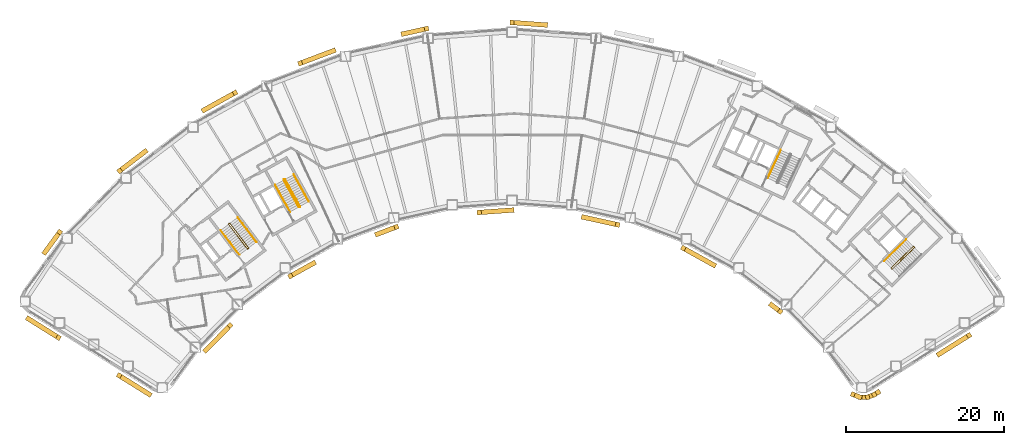
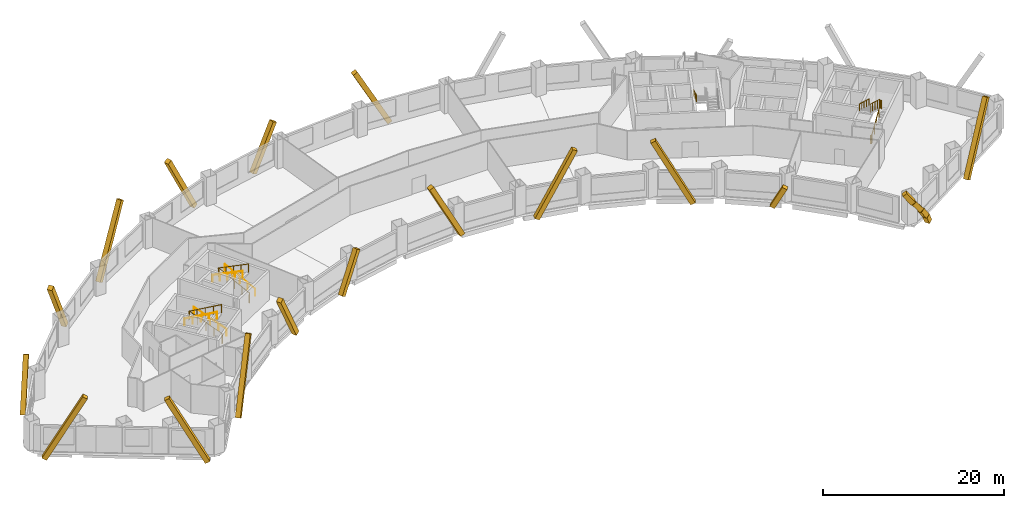
# One storey, part 10 of 11: 20 coverings, 9 railings.
"""IFC4 building model written with IfcOpenShell, lengths in metres."""

from ifc_helpers import new_model, si_unit, direction, frame, origin, origin_2d, place, context, subcontext, project, spatial, rectangle, circle, extrude, material, material_profile, profile_set, type_object, element, save


model = new_model("IFC4")

# Units and contexts
model_context = context("Model", 3, precision=1e-05, world=origin(), true_north=direction((0.0, 1.0)))
body_context = subcontext(model_context, "Body", "Model", "MODEL_VIEW")
ifc_project = project(units=[si_unit("LENGTHUNIT", "METRE"), si_unit("AREAUNIT", "SQUARE_METRE"), si_unit("VOLUMEUNIT", "CUBIC_METRE"), si_unit("PLANEANGLEUNIT", "RADIAN"), si_unit("MASSUNIT", "GRAM", prefix="KILO")], contexts=[model_context])

# Site, building, storey
site_placement = place(None, origin())
site = spatial("IfcSite", under=ifc_project, at=site_placement, CompositionType="ELEMENT")
building_placement = place(site_placement, origin())
building = spatial("IfcBuilding", under=site, at=building_placement, Name="Tuul Gate Civic Tower", CompositionType="ELEMENT")
storey_placement = place(building_placement, frame((0.0, 0.0, 48.300048828125)))
storey = spatial("IfcBuildingStorey", under=building, at=storey_placement, Name="Level 10", CompositionType="ELEMENT", Elevation=48.300048828125)

# Railings
ifc_material_1 = material(Name="Painted steel", Category="steel")
railing_type_1 = type_object("IfcRailingType", Name="Stair guard", PredefinedType="GUARDRAIL", material=ifc_material_1)
railing_1_placement = place(storey_placement, frame((-33.382080078125, -13.515380859375, 0.0)))
element("IfcRailing", 1, at=railing_1_placement, inside=storey, type_object=railing_type_1, Name="Level 10 ST-1 stair guard 1", PredefinedType="GUARDRAIL", context=body_context, shape_type="SweptSolid", body=[
    extrude(circle(Radius=0.02392578125, at=origin_2d()), frame((0.0, 0.0, 1.076171875), z_axis=(-0.795879841968, -0.605454603706, 0.0), x_axis=(0.605454603706, -0.795879841968, 0.0)), (0.0, 0.0, 1.0), 0.10009765625),
    extrude(circle(Radius=0.02392578125, at=origin_2d()), frame((-0.07958984375, -0.060546875, 1.076171875), z_axis=(0.408991890351, 0.599481263939, 0.688002796371), x_axis=(-0.826063974707, 0.563576356576, 0.0)), (0.0, 0.0, 1.0), 0.2177734375),
    extrude(circle(Radius=0.02392578125, at=origin_2d()), frame((0.009521484375, 0.070068359375, 1.22607421875), z_axis=(-0.541824460341, 0.711645023348, 0.447199748346), x_axis=(-0.795637165283, -0.60577347352, 0.0)), (0.0, 0.0, 1.0), 4.3603515625),
    extrude(circle(Radius=0.02392578125, at=origin_2d()), frame((-2.35302734375, 3.173095703125, 3.17578125), z_axis=(-0.990893089246, 0.134650977284, 0.0), x_axis=(-0.134650977284, -0.990893089246, 0.0)), (0.0, 0.0, 1.0), 0.07080078125),
    extrude(circle(Radius=0.02392578125, at=origin_2d()), frame((-2.423095703125, 3.1826171875, 3.17578125), z_axis=(-0.793802879778, -0.60817512943, 0.0), x_axis=(0.60817512943, -0.793802879778, 0.0)), (0.0, 0.0, 1.0), 0.099853515625),
    extrude(circle(Radius=0.02392578125, at=origin_2d()), frame((-2.50244140625, 3.121826171875, 3.17578125), z_axis=(-0.057370624079, -0.422188951554, 0.904690610473), x_axis=(0.990893089246, -0.134650977284, 0.0)), (0.0, 0.0, 1.0), 0.166015625),
    extrude(circle(Radius=0.02392578125, at=origin_2d()), frame((-2.511962890625, 3.0517578125, 3.326171875), z_axis=(0.541806494602, -0.71163897684, 0.447231136047), x_axis=(0.795644365679, 0.605764016233, 0.0)), (0.0, 0.0, 1.0), 4.360107421875),
    extrude(circle(Radius=0.02099609375, at=origin_2d()), origin(), (0.0, 0.0, 1.0), 1.052001953125),
    extrude(circle(Radius=0.02099609375, at=origin_2d()), frame((-0.07958984375, -0.060546875, 0.0)), (0.0, 0.0, 1.0), 1.052001953125),
    extrude(circle(Radius=0.02099609375, at=origin_2d()), frame((0.009521484375, 0.070068359375, 0.14990234375)), (0.0, 0.0, 1.0), 1.052001953125),
    extrude(circle(Radius=0.02099609375, at=origin_2d()), frame((-0.5810546875, 0.845703125, 0.637451171875)), (0.0, 0.0, 1.0), 1.052001953125),
    extrude(circle(Radius=0.02099609375, at=origin_2d()), frame((-1.171875, 1.62158203125, 1.125)), (0.0, 0.0, 1.0), 1.052001953125),
    extrude(circle(Radius=0.02099609375, at=origin_2d()), frame((-1.762451171875, 2.3974609375, 1.6123046875)), (0.0, 0.0, 1.0), 1.052001953125),
    extrude(circle(Radius=0.02099609375, at=origin_2d()), frame((-2.35302734375, 3.173095703125, 2.099853515625)), (0.0, 0.0, 1.0), 1.052001953125),
    extrude(circle(Radius=0.02099609375, at=origin_2d()), frame((-2.423095703125, 3.1826171875, 2.099853515625)), (0.0, 0.0, 1.0), 1.052001953125),
    extrude(circle(Radius=0.02099609375, at=origin_2d()), frame((-2.50244140625, 3.121826171875, 2.099853515625)), (0.0, 0.0, 1.0), 1.052001953125),
    extrude(circle(Radius=0.02099609375, at=origin_2d()), frame((-2.511962890625, 3.0517578125, 2.25)), (0.0, 0.0, 1.0), 1.052001953125),
    extrude(circle(Radius=0.02099609375, at=origin_2d()), frame((-1.92138671875, 2.276123046875, 2.737548828125)), (0.0, 0.0, 1.0), 1.052001953125),
    extrude(circle(Radius=0.02099609375, at=origin_2d()), frame((-1.330810546875, 1.50048828125, 3.22509765625)), (0.0, 0.0, 1.0), 1.052001953125),
    extrude(circle(Radius=0.02099609375, at=origin_2d()), frame((-0.740234375, 0.724609375, 3.71240234375)), (0.0, 0.0, 1.0), 1.052001953125),
    extrude(circle(Radius=0.02099609375, at=origin_2d()), frame((-0.149658203125, -0.051025390625, 4.199951171875)), (0.0, 0.0, 1.0), 1.052001953125),
])
railing_2_placement = place(storey_placement, frame((-26.857666015625, -8.247314453125, 0.0)))
element("IfcRailing", 2, at=railing_2_placement, inside=storey, type_object=railing_type_1, Name="Level 10 ST-2 stair guard 1", PredefinedType="GUARDRAIL", context=body_context, shape_type="SweptSolid", body=[
    extrude(circle(Radius=0.02392578125, at=origin_2d()), frame((0.0, 0.0, 1.076171875), z_axis=(-0.874616555828, -0.48481530532, 0.0), x_axis=(0.48481530532, -0.874616555828, 0.0)), (0.0, 0.0, 1.0), 0.10009765625),
    extrude(circle(Radius=0.02392578125, at=origin_2d()), frame((-0.087646484375, -0.048583984375, 1.076171875), z_axis=(0.49081399482, 0.534516610797, 0.688036056665), x_axis=(-0.736576986774, 0.676353711126, 0.0)), (0.0, 0.0, 1.0), 0.2177734375),
    extrude(circle(Radius=0.02392578125, at=origin_2d()), frame((0.019287109375, 0.06787109375, 1.22607421875), z_axis=(-0.43354991378, 0.782327185242, 0.447212083348), x_axis=(-0.874667644053, -0.484723129681, 0.0)), (0.0, 0.0, 1.0), 4.3603515625),
    extrude(circle(Radius=0.02392578125, at=origin_2d()), frame((-1.87109375, 3.47900390625, 3.17578125), z_axis=(-0.961263487578, 0.275631107549, 0.0), x_axis=(-0.275631107549, -0.961263487578, 0.0)), (0.0, 0.0, 1.0), 0.07080078125),
    extrude(circle(Radius=0.02392578125, at=origin_2d()), frame((-1.939208984375, 3.49853515625, 3.17578125), z_axis=(-0.874042088414, -0.485850211157, 0.0), x_axis=(0.485850211157, -0.874042088414, 0.0)), (0.0, 0.0, 1.0), 0.10009765625),
    extrude(circle(Radius=0.02392578125, at=origin_2d()), frame((-2.026611328125, 3.449951171875, 3.17578125), z_axis=(-0.117709570447, -0.409040757305, 0.904892322815), x_axis=(0.961000426733, -0.276546885391, 0.0)), (0.0, 0.0, 1.0), 0.166015625),
    extrude(circle(Radius=0.02392578125, at=origin_2d()), frame((-2.046142578125, 3.382080078125, 3.326171875), z_axis=(0.433595379963, -0.782308193291, 0.447201226726), x_axis=(0.874641102302, 0.484771020343, 0.0)), (0.0, 0.0, 1.0), 4.3603515625),
    extrude(circle(Radius=0.02099609375, at=origin_2d()), origin(), (0.0, 0.0, 1.0), 1.052001953125),
    extrude(circle(Radius=0.02099609375, at=origin_2d()), frame((-0.087646484375, -0.048583984375, 0.0)), (0.0, 0.0, 1.0), 1.052001953125),
    extrude(circle(Radius=0.02099609375, at=origin_2d()), frame((0.019287109375, 0.06787109375, 0.14990234375)), (0.0, 0.0, 1.0), 1.052001953125),
    extrude(circle(Radius=0.02099609375, at=origin_2d()), frame((-0.453369140625, 0.920654296875, 0.637451171875)), (0.0, 0.0, 1.0), 1.052001953125),
    extrude(circle(Radius=0.02099609375, at=origin_2d()), frame((-0.92578125, 1.7734375, 1.125)), (0.0, 0.0, 1.0), 1.052001953125),
    extrude(circle(Radius=0.02099609375, at=origin_2d()), frame((-1.3984375, 2.626220703125, 1.6123046875)), (0.0, 0.0, 1.0), 1.052001953125),
    extrude(circle(Radius=0.02099609375, at=origin_2d()), frame((-1.87109375, 3.47900390625, 2.099853515625)), (0.0, 0.0, 1.0), 1.052001953125),
    extrude(circle(Radius=0.02099609375, at=origin_2d()), frame((-1.939208984375, 3.49853515625, 2.099853515625)), (0.0, 0.0, 1.0), 1.052001953125),
    extrude(circle(Radius=0.02099609375, at=origin_2d()), frame((-2.026611328125, 3.449951171875, 2.099853515625)), (0.0, 0.0, 1.0), 1.052001953125),
    extrude(circle(Radius=0.02099609375, at=origin_2d()), frame((-2.046142578125, 3.382080078125, 2.25)), (0.0, 0.0, 1.0), 1.052001953125),
    extrude(circle(Radius=0.02099609375, at=origin_2d()), frame((-1.573486328125, 2.529296875, 2.737548828125)), (0.0, 0.0, 1.0), 1.052001953125),
    extrude(circle(Radius=0.02099609375, at=origin_2d()), frame((-1.100830078125, 1.676513671875, 3.22509765625)), (0.0, 0.0, 1.0), 1.052001953125),
    extrude(circle(Radius=0.02099609375, at=origin_2d()), frame((-0.628173828125, 0.82373046875, 3.71240234375)), (0.0, 0.0, 1.0), 1.052001953125),
    extrude(circle(Radius=0.02099609375, at=origin_2d()), frame((-0.155517578125, -0.029052734375, 4.199951171875)), (0.0, 0.0, 1.0), 1.052001953125),
])
railing_3_placement = place(storey_placement, frame((48.10546875, -16.134765625, 0.0)))
element("IfcRailing", 3, at=railing_3_placement, inside=storey, type_object=railing_type_1, Name="Level 10 ST-3 stair guard 1", PredefinedType="GUARDRAIL", context=body_context, shape_type="SweptSolid", body=[
    extrude(circle(Radius=0.02392578125, at=origin_2d()), frame((0.0, 0.0, 1.076171875), z_axis=(-0.698506948293, 0.715603272202, 0.0), x_axis=(-0.715603272202, -0.698506948293, 0.0)), (0.0, 0.0, 1.0), 0.099853515625),
    extrude(circle(Radius=0.02392578125, at=origin_2d()), frame((-0.06982421875, 0.071533203125, 1.076171875), z_axis=(0.645446321009, -0.331687692741, 0.688027849131), x_axis=(0.457068866502, 0.889431307788, 0.0)), (0.0, 0.0, 1.0), 0.2177734375),
    extrude(circle(Radius=0.02392578125, at=origin_2d()), frame((0.07080078125, -0.000732421875, 1.22607421875), z_axis=(0.638731261263, 0.626133563701, 0.447190268558), x_axis=(-0.700029477518, 0.714113947914, 0.0)), (0.0, 0.0, 1.0), 4.3603515625),
    extrude(circle(Radius=0.02392578125, at=origin_2d()), frame((2.85595703125, 2.7294921875, 3.17578125), z_axis=(0.010380063588, 0.999946125689, 0.0), x_axis=(-0.999946125689, 0.010380063588, 0.0)), (0.0, 0.0, 1.0), 0.070556640625),
    extrude(circle(Radius=0.02392578125, at=origin_2d()), frame((2.856689453125, 2.800048828125, 3.17578125), z_axis=(-0.699754442181, 0.714383454909, 0.0), x_axis=(-0.714383454909, -0.699754442181, 0.0)), (0.0, 0.0, 1.0), 0.10009765625),
    extrude(circle(Radius=0.02392578125, at=origin_2d()), frame((2.78662109375, 2.87158203125, 3.17578125), z_axis=(-0.426501027327, 0.004412079593, 0.904476316574), x_axis=(-0.010344274102, -0.999946496565, 0.0)), (0.0, 0.0, 1.0), 0.166015625),
    extrude(circle(Radius=0.02392578125, at=origin_2d()), frame((2.7158203125, 2.872314453125, 3.326171875), z_axis=(-0.638731261263, -0.626133563701, 0.447190268558), x_axis=(0.700029477518, -0.714113947914, 0.0)), (0.0, 0.0, 1.0), 4.3603515625),
    extrude(circle(Radius=0.02099609375, at=origin_2d()), origin(), (0.0, 0.0, 1.0), 1.052001953125),
    extrude(circle(Radius=0.02099609375, at=origin_2d()), frame((-0.06982421875, 0.071533203125, 0.0)), (0.0, 0.0, 1.0), 1.052001953125),
    extrude(circle(Radius=0.02099609375, at=origin_2d()), frame((0.07080078125, -0.000732421875, 0.14990234375)), (0.0, 0.0, 1.0), 1.052001953125),
    extrude(circle(Radius=0.02099609375, at=origin_2d()), frame((0.76708984375, 0.681884765625, 0.637451171875)), (0.0, 0.0, 1.0), 1.052001953125),
    extrude(circle(Radius=0.02099609375, at=origin_2d()), frame((1.46337890625, 1.3642578125, 1.125)), (0.0, 0.0, 1.0), 1.052001953125),
    extrude(circle(Radius=0.02099609375, at=origin_2d()), frame((2.15966796875, 2.046875, 1.6123046875)), (0.0, 0.0, 1.0), 1.052001953125),
    extrude(circle(Radius=0.02099609375, at=origin_2d()), frame((2.85595703125, 2.7294921875, 2.099853515625)), (0.0, 0.0, 1.0), 1.052001953125),
    extrude(circle(Radius=0.02099609375, at=origin_2d()), frame((2.856689453125, 2.800048828125, 2.099853515625)), (0.0, 0.0, 1.0), 1.052001953125),
    extrude(circle(Radius=0.02099609375, at=origin_2d()), frame((2.78662109375, 2.87158203125, 2.099853515625)), (0.0, 0.0, 1.0), 1.052001953125),
    extrude(circle(Radius=0.02099609375, at=origin_2d()), frame((2.7158203125, 2.872314453125, 2.25)), (0.0, 0.0, 1.0), 1.052001953125),
    extrude(circle(Radius=0.02099609375, at=origin_2d()), frame((2.01953125, 2.189697265625, 2.737548828125)), (0.0, 0.0, 1.0), 1.052001953125),
    extrude(circle(Radius=0.02099609375, at=origin_2d()), frame((1.3232421875, 1.50732421875, 3.22509765625)), (0.0, 0.0, 1.0), 1.052001953125),
    extrude(circle(Radius=0.02099609375, at=origin_2d()), frame((0.626953125, 0.82470703125, 3.71240234375)), (0.0, 0.0, 1.0), 1.052001953125),
    extrude(circle(Radius=0.02099609375, at=origin_2d()), frame((-0.0693359375, 0.14208984375, 4.199951171875)), (0.0, 0.0, 1.0), 1.052001953125),
])
ifc_material_2 = material(Name="Painted steel", Category="steel")
railing_type_2 = type_object("IfcRailingType", Name="Stair handrail", PredefinedType="HANDRAIL", material=ifc_material_2)
railing_4_placement = place(storey_placement, frame((-32.3779296875, -12.688232421875, 0.14990234375)))
element("IfcRailing", 4, at=railing_4_placement, inside=storey, type_object=railing_type_2, Name="Level 10 ST-1 stair handrail 1", PredefinedType="HANDRAIL", context=body_context, shape_type="SweptSolid", body=[
    extrude(circle(Radius=0.02392578125, at=origin_2d()), frame((0.0, 0.0, 0.8759765625), z_axis=(-0.541824460341, 0.711645023348, 0.447199748346), x_axis=(-0.795637165283, -0.60577347352, 0.0)), (0.0, 0.0, 1.0), 4.3603515625),
    extrude(circle(Radius=0.02099609375, at=origin_2d()), origin(), (0.0, 0.0, 1.0), 0.851806640625),
    extrude(circle(Radius=0.02099609375, at=origin_2d()), frame((-0.590576171875, 0.77587890625, 0.487548828125)), (0.0, 0.0, 1.0), 0.851806640625),
    extrude(circle(Radius=0.02099609375, at=origin_2d()), frame((-1.18115234375, 1.551513671875, 0.97509765625)), (0.0, 0.0, 1.0), 0.851806640625),
    extrude(circle(Radius=0.02099609375, at=origin_2d()), frame((-1.77197265625, 2.3271484375, 1.46240234375)), (0.0, 0.0, 1.0), 0.851806640625),
    extrude(circle(Radius=0.02099609375, at=origin_2d()), frame((-2.362548828125, 3.10302734375, 1.949951171875)), (0.0, 0.0, 1.0), 0.851806640625),
])
railing_5_placement = place(storey_placement, frame((-36.888671875, -11.220703125, 2.25)))
element("IfcRailing", 5, at=railing_5_placement, inside=storey, type_object=railing_type_2, Name="Level 10 ST-1 stair handrail 2", PredefinedType="HANDRAIL", context=body_context, shape_type="SweptSolid", body=[
    extrude(circle(Radius=0.02392578125, at=origin_2d()), frame((0.0, 0.0, 0.8759765625), z_axis=(0.541824460341, -0.711645023348, 0.447199748346), x_axis=(0.795637165283, 0.60577347352, 0.0)), (0.0, 0.0, 1.0), 4.3603515625),
    extrude(circle(Radius=0.02099609375, at=origin_2d()), origin(), (0.0, 0.0, 1.0), 0.851806640625),
    extrude(circle(Radius=0.02099609375, at=origin_2d()), frame((0.590576171875, -0.77587890625, 0.487548828125)), (0.0, 0.0, 1.0), 0.851806640625),
    extrude(circle(Radius=0.02099609375, at=origin_2d()), frame((1.18115234375, -1.551513671875, 0.97509765625)), (0.0, 0.0, 1.0), 0.851806640625),
    extrude(circle(Radius=0.02099609375, at=origin_2d()), frame((1.77197265625, -2.3271484375, 1.46240234375)), (0.0, 0.0, 1.0), 0.851806640625),
    extrude(circle(Radius=0.02099609375, at=origin_2d()), frame((2.362548828125, -3.10302734375, 1.949951171875)), (0.0, 0.0, 1.0), 0.851806640625),
])
railing_6_placement = place(storey_placement, frame((-25.744873046875, -7.573486328125, 0.14990234375)))
element("IfcRailing", 6, at=railing_6_placement, inside=storey, type_object=railing_type_2, Name="Level 10 ST-2 stair handrail 1", PredefinedType="HANDRAIL", context=body_context, shape_type="SweptSolid", body=[
    extrude(circle(Radius=0.02392578125, at=origin_2d()), frame((0.0, 0.0, 0.8759765625), z_axis=(-0.433595379963, 0.782308193291, 0.447201226726), x_axis=(-0.874641102302, -0.484771020343, 0.0)), (0.0, 0.0, 1.0), 4.3603515625),
    extrude(circle(Radius=0.02099609375, at=origin_2d()), origin(), (0.0, 0.0, 1.0), 0.851806640625),
    extrude(circle(Radius=0.02099609375, at=origin_2d()), frame((-0.47265625, 0.852783203125, 0.487548828125)), (0.0, 0.0, 1.0), 0.851806640625),
    extrude(circle(Radius=0.02099609375, at=origin_2d()), frame((-0.9453125, 1.70556640625, 0.97509765625)), (0.0, 0.0, 1.0), 0.851806640625),
    extrude(circle(Radius=0.02099609375, at=origin_2d()), frame((-1.41796875, 2.558349609375, 1.46240234375)), (0.0, 0.0, 1.0), 0.851806640625),
    extrude(circle(Radius=0.02099609375, at=origin_2d()), frame((-1.890625, 3.4111328125, 1.949951171875)), (0.0, 0.0, 1.0), 0.851806640625),
])
railing_7_placement = place(storey_placement, frame((-29.9970703125, -5.47119140625, 2.25)))
element("IfcRailing", 7, at=railing_7_placement, inside=storey, type_object=railing_type_2, Name="Level 10 ST-2 stair handrail 2", PredefinedType="HANDRAIL", context=body_context, shape_type="SweptSolid", body=[
    extrude(circle(Radius=0.02392578125, at=origin_2d()), frame((0.0, 0.0, 0.8759765625), z_axis=(0.433595379963, -0.782308193291, 0.447201226726), x_axis=(0.874641102302, 0.484771020343, 0.0)), (0.0, 0.0, 1.0), 4.3603515625),
    extrude(circle(Radius=0.02099609375, at=origin_2d()), origin(), (0.0, 0.0, 1.0), 0.851806640625),
    extrude(circle(Radius=0.02099609375, at=origin_2d()), frame((0.47265625, -0.852783203125, 0.487548828125)), (0.0, 0.0, 1.0), 0.851806640625),
    extrude(circle(Radius=0.02099609375, at=origin_2d()), frame((0.9453125, -1.70556640625, 0.97509765625)), (0.0, 0.0, 1.0), 0.851806640625),
    extrude(circle(Radius=0.02099609375, at=origin_2d()), frame((1.41796875, -2.558349609375, 1.46240234375)), (0.0, 0.0, 1.0), 0.851806640625),
    extrude(circle(Radius=0.02099609375, at=origin_2d()), frame((1.890625, -3.4111328125, 1.949951171875)), (0.0, 0.0, 1.0), 0.851806640625),
])
railing_8_placement = place(storey_placement, frame((49.9462890625, -12.369873046875, 2.25)))
element("IfcRailing", 8, at=railing_8_placement, inside=storey, type_object=railing_type_2, Name="Level 10 ST-3 stair handrail 2", PredefinedType="HANDRAIL", context=body_context, shape_type="SweptSolid", body=[
    extrude(circle(Radius=0.02392578125, at=origin_2d()), frame((0.0, 0.0, 0.8759765625), z_axis=(-0.638753653487, -0.626099522554, 0.447205945863), x_axis=(0.699997553204, -0.714145241186, 0.0)), (0.0, 0.0, 1.0), 4.3603515625),
    extrude(circle(Radius=0.02099609375, at=origin_2d()), origin(), (0.0, 0.0, 1.0), 0.851806640625),
    extrude(circle(Radius=0.02099609375, at=origin_2d()), frame((-0.6962890625, -0.6826171875, 0.487548828125)), (0.0, 0.0, 1.0), 0.851806640625),
    extrude(circle(Radius=0.02099609375, at=origin_2d()), frame((-1.392578125, -1.364990234375, 0.97509765625)), (0.0, 0.0, 1.0), 0.851806640625),
    extrude(circle(Radius=0.02099609375, at=origin_2d()), frame((-2.0888671875, -2.04736328125, 1.46240234375)), (0.0, 0.0, 1.0), 0.851806640625),
    extrude(circle(Radius=0.02099609375, at=origin_2d()), frame((-2.78515625, -2.72998046875, 1.949951171875)), (0.0, 0.0, 1.0), 0.851806640625),
])
railing_9_placement = place(storey_placement, frame((34.046142578125, -1.06689453125, 2.25)))
element("IfcRailing", 9, at=railing_9_placement, inside=storey, type_object=railing_type_2, Name="Level 10 ST-4 stair handrail 2", PredefinedType="HANDRAIL", context=body_context, shape_type="SweptSolid", body=[
    extrude(circle(Radius=0.02392578125, at=origin_2d()), frame((0.0, 0.0, 0.8759765625), z_axis=(-0.377994896215, -0.810636958585, 0.447199709091), x_axis=(0.906312636903, -0.422607861012, 0.0)), (0.0, 0.0, 1.0), 4.3603515625),
    extrude(circle(Radius=0.02099609375, at=origin_2d()), origin(), (0.0, 0.0, 1.0), 0.851806640625),
    extrude(circle(Radius=0.02099609375, at=origin_2d()), frame((-0.412109375, -0.8837890625, 0.487548828125)), (0.0, 0.0, 1.0), 0.851806640625),
    extrude(circle(Radius=0.02099609375, at=origin_2d()), frame((-0.82421875, -1.767333984375, 0.97509765625)), (0.0, 0.0, 1.0), 0.851806640625),
    extrude(circle(Radius=0.02099609375, at=origin_2d()), frame((-1.236083984375, -2.65087890625, 1.46240234375)), (0.0, 0.0, 1.0), 0.851806640625),
    extrude(circle(Radius=0.02099609375, at=origin_2d()), frame((-1.648193359375, -3.53466796875, 1.949951171875)), (0.0, 0.0, 1.0), 0.851806640625),
])

# Coverings
ifc_material_3 = material(Name="Terracotta baguette", Category="masonry")
ifc_material_profile = material_profile(ifc_material_3, rectangle(XDim=0.60009765625, YDim=0.60009765625, at=origin_2d()), Name="Terracotta baguette screen frame")
ifc_profile_set = profile_set([ifc_material_profile], Name="Terracotta baguette")
covering_type = type_object("IfcCoveringType", Name="Terracotta baguette screen frame", PredefinedType="CLADDING", material=ifc_profile_set)
covering_1_placement = place(storey_placement, frame((54.0625, -26.92529296875, -0.35009765625), z_axis=(0.402286551729, 0.25135553547, 0.880332849033), x_axis=(-0.529887423043, 0.848067991909, 0.0)))
element("IfcCovering", 10, at=covering_1_placement, inside=storey, type_object=covering_type, Name="Baguette 2", PredefinedType="CLADDING", context=body_context, shape_type="SweptSolid", body=[
    extrude(rectangle(XDim=0.60009765625, YDim=0.60009765625, at=origin_2d()), origin(), (0.0, 0.0, 1.0), 9.5419921875),
])
covering_2_placement = place(storey_placement, frame((0.0, 15.10205078125, 7.551025390625), z_axis=(0.47392073941, -0.034338930289, -0.879897704636), x_axis=(0.072267661138, 0.997385274181, 0.0)))
element("IfcCovering", 11, at=covering_2_placement, inside=storey, type_object=covering_type, Name="Baguette 77", PredefinedType="CLADDING", context=body_context, shape_type="SweptSolid", body=[
    extrude(rectangle(XDim=0.60009765625, YDim=0.60009765625, at=origin_2d()), origin(), (0.0, 0.0, 1.0), 8.9794921875),
])
covering_3_placement = place(storey_placement, frame((-10.822509765625, 14.318115234375, 5.256103515625), z_axis=(-0.463998759737, -0.102310404534, -0.879907797492), x_axis=(0.215324834594, -0.976542480186, 0.0)))
element("IfcCovering", 12, at=covering_3_placement, inside=storey, type_object=covering_type, Name="Baguette 84", PredefinedType="CLADDING", context=body_context, shape_type="SweptSolid", body=[
    extrude(rectangle(XDim=0.60009765625, YDim=0.60009765625, at=origin_2d()), origin(), (0.0, 0.0, 1.0), 6.371337890625),
])
for number, where, z_axis, x_axis, name in (
    (13, (-26.830078125, 9.93603515625, 8.050048828125), (0.444440916685, 0.168043113156, -0.879905553851), (-0.353664314999, 0.935372413692, 0.0), "Baguette 98"),
    (14, (-35.072998046875, 6.2021484375, 8.050048828125), (-0.415571096268, -0.230341468559, -0.879911059033), (0.484788124357, -0.87463162216, 0.0), "Baguette 103"),
):
    element("IfcCovering", number, at=place(storey_placement, frame(where, z_axis=z_axis, x_axis=x_axis)), inside=storey, type_object=covering_type, Name=name, PredefinedType="CLADDING", context=body_context, shape_type="SweptSolid", body=[
        extrude(rectangle(XDim=0.60009765625, YDim=0.60009765625, at=origin_2d()), origin(), (0.0, 0.0, 1.0), 9.546630859375),
    ])
covering_4_placement = place(storey_placement, frame((-49.693603515625, -3.690185546875, 7.219970703125), z_axis=(0.378043496186, 0.287860173045, -0.879897514354), x_axis=(-0.605812872991, 0.795607166206, 0.0)))
element("IfcCovering", 15, at=covering_4_placement, inside=storey, type_object=covering_type, Name="Baguette 119", PredefinedType="CLADDING", context=body_context, shape_type="SweptSolid", body=[
    extrude(rectangle(XDim=0.60009765625, YDim=0.60009765625, at=origin_2d()), origin(), (0.0, 0.0, 1.0), 8.603271484375),
])
covering_5_placement = place(storey_placement, frame((-57.28955078125, -11.439697265625, 5.58544921875), z_axis=(-0.281354490497, -0.385249236185, -0.878875802771), x_axis=(0.807564638355, -0.58977907294, 0.0)))
element("IfcCovering", 16, at=covering_5_placement, inside=storey, type_object=covering_type, Name="Baguette 126", PredefinedType="CLADDING", context=body_context, shape_type="SweptSolid", body=[
    extrude(rectangle(XDim=0.60009765625, YDim=0.60009765625, at=origin_2d()), origin(), (0.0, 0.0, 1.0), 6.753662109375),
])
for number, where, z_axis, x_axis, name in (
    (17, (-57.4453125, -24.811767578125, 8.050048828125), (-0.402283964458, 0.251379504598, -0.880327187248), (-0.529926214669, -0.848043753002, 0.0), "Baguette 151"),
    (18, (-49.767578125, -29.609130859375, 8.050048828125), (0.402283964458, -0.251379504598, -0.880327187248), (0.529926214669, 0.848043753002, 0.0), "Baguette 155"),
):
    element("IfcCovering", number, at=place(storey_placement, frame(where, z_axis=z_axis, x_axis=x_axis)), inside=storey, type_object=covering_type, Name=name, PredefinedType="CLADDING", context=body_context, shape_type="SweptSolid", body=[
        extrude(rectangle(XDim=0.60009765625, YDim=0.60009765625, at=origin_2d()), origin(), (0.0, 0.0, 1.0), 9.5419921875),
    ])
covering_6_placement = place(storey_placement, frame((-35.70751953125, -23.27880859375, 8.050048828125), z_axis=(-0.326300155406, -0.332882727493, -0.884713116394), x_axis=(0.714132313758, -0.700010741665, 0.0)))
element("IfcCovering", 19, at=covering_6_placement, inside=storey, type_object=covering_type, Name="Baguette 183", PredefinedType="CLADDING", context=body_context, shape_type="SweptSolid", body=[
    extrude(rectangle(XDim=0.60009765625, YDim=0.60009765625, at=origin_2d()), origin(), (0.0, 0.0, 1.0), 9.494873046875),
])
covering_7_placement = place(storey_placement, frame((-28.06884765625, -17.0126953125, 6.062255859375), z_axis=(0.407705939366, 0.226016759182, -0.884698983595), x_axis=(-0.484845174212, 0.87459999831, 0.0)))
element("IfcCovering", 20, at=covering_7_placement, inside=storey, type_object=covering_type, Name="Baguette 191", PredefinedType="CLADDING", context=body_context, shape_type="SweptSolid", body=[
    extrude(rectangle(XDim=0.60009765625, YDim=0.60009765625, at=origin_2d()), origin(), (0.0, 0.0, 1.0), 7.248046875),
])
covering_8_placement = place(storey_placement, frame((-14.642578125, -10.792724609375, 4.594482421875), z_axis=(-0.436002270836, -0.164860491948, -0.884716360208), x_axis=(0.353679388764, -0.935366714163, 0.0)))
element("IfcCovering", 21, at=covering_8_placement, inside=storey, type_object=covering_type, Name="Baguette 209", PredefinedType="CLADDING", context=body_context, shape_type="SweptSolid", body=[
    extrude(rectangle(XDim=0.60009765625, YDim=0.60009765625, at=origin_2d()), origin(), (0.0, 0.0, 1.0), 5.5888671875),
])
covering_9_placement = place(storey_placement, frame((-4.152099609375, -8.961181640625, 8.050048828125), z_axis=(0.464923006881, 0.033624701503, -0.884712369712), x_axis=(-0.07213475166, 0.997394895517, 0.0)))
element("IfcCovering", 22, at=covering_9_placement, inside=storey, type_object=covering_type, Name="Baguette 216", PredefinedType="CLADDING", context=body_context, shape_type="SweptSolid", body=[
    extrude(rectangle(XDim=0.60009765625, YDim=0.60009765625, at=origin_2d()), origin(), (0.0, 0.0, 1.0), 8.9306640625),
])
covering_10_placement = place(storey_placement, frame((13.3779296875, -10.513916015625, 8.050048828125), z_axis=(-0.455202274542, 0.100333235907, -0.884716977923), x_axis=(-0.21524797351, -0.976559424664, 0.0)))
element("IfcCovering", 23, at=covering_10_placement, inside=storey, type_object=covering_type, Name="Baguette 232", PredefinedType="CLADDING", context=body_context, shape_type="SweptSolid", body=[
    extrude(rectangle(XDim=0.60009765625, YDim=0.60009765625, at=origin_2d()), origin(), (0.0, 0.0, 1.0), 9.49462890625),
])
covering_11_placement = place(storey_placement, frame((21.70263671875, -13.48388671875, 8.050048828125), z_axis=(0.407707160456, -0.225966859617, -0.884711167369), x_axis=(0.484762177087, 0.87464600363, 0.0)))
element("IfcCovering", 24, at=covering_11_placement, inside=storey, type_object=covering_type, Name="Baguette 238", PredefinedType="CLADDING", context=body_context, shape_type="SweptSolid", body=[
    extrude(rectangle(XDim=0.60009765625, YDim=0.60009765625, at=origin_2d()), origin(), (0.0, 0.0, 1.0), 9.494873046875),
])
covering_12_placement = place(storey_placement, frame((33.970458984375, -21.5068359375, 2.3427734375), z_axis=(-0.370882914381, 0.282413222651, -0.884696917307), x_axis=(-0.605820279821, -0.795601526241, 0.0)))
element("IfcCovering", 25, at=covering_12_placement, inside=storey, type_object=covering_type, Name="Baguette 255", PredefinedType="CLADDING", context=body_context, shape_type="SweptSolid", body=[
    extrude(rectangle(XDim=0.60009765625, YDim=0.60009765625, at=origin_2d()), origin(), (0.0, 0.0, 1.0), 3.0439453125),
])
covering_13_placement = place(storey_placement, frame((43.166259765625, -32.000732421875, 4.611572265625), z_axis=(0.560318540515, -0.222072864534, -0.797951612564), x_axis=(0.36845020329, 0.929647485715, 0.0)))
element("IfcCovering", 26, at=covering_13_placement, inside=storey, type_object=covering_type, Name="Baguette 272", PredefinedType="CLADDING", context=body_context, shape_type="SweptSolid", body=[
    extrude(rectangle(XDim=0.60009765625, YDim=0.60009765625, at=origin_2d()), origin(), (0.0, 0.0, 1.0), 1.615966796875),
])
covering_14_placement = place(storey_placement, frame((44.07177734375, -32.359619140625, 3.322021484375), z_axis=(0.602584149107, -0.001662926653, -0.798053618449), x_axis=(0.002759648297, 0.999996192163, 0.0)))
element("IfcCovering", 27, at=covering_14_placement, inside=storey, type_object=covering_type, Name="Baguette 273", PredefinedType="CLADDING", context=body_context, shape_type="SweptSolid", body=[
    extrude(rectangle(XDim=0.60009765625, YDim=0.60009765625, at=origin_2d()), origin(), (0.0, 0.0, 1.0), 1.614990234375),
])
covering_15_placement = place(storey_placement, frame((45.044921875, -32.3623046875, 2.033203125), z_axis=(0.534027838207, 0.207867231209, -0.819515394736), x_axis=(-0.362733847194, 0.93189278144, 0.0)))
element("IfcCovering", 28, at=covering_15_placement, inside=storey, type_object=covering_type, Name="Baguette 274", PredefinedType="CLADDING", context=body_context, shape_type="SweptSolid", body=[
    extrude(rectangle(XDim=0.60009765625, YDim=0.60009765625, at=origin_2d()), origin(), (0.0, 0.0, 1.0), 1.57275390625),
])
covering_16_placement = place(storey_placement, frame((45.884765625, -32.035400390625, 0.744384765625), z_axis=(0.402352266006, 0.251347438013, -0.880305128603), x_axis=(-0.52981289744, 0.848114552231, 0.0)))
element("IfcCovering", 29, at=covering_16_placement, inside=storey, type_object=covering_type, Name="Baguette 275", PredefinedType="CLADDING", context=body_context, shape_type="SweptSolid", body=[
    extrude(rectangle(XDim=0.60009765625, YDim=0.60009765625, at=origin_2d()), origin(), (0.0, 0.0, 1.0), 1.243408203125),
])

save(model, "model.ifc")
